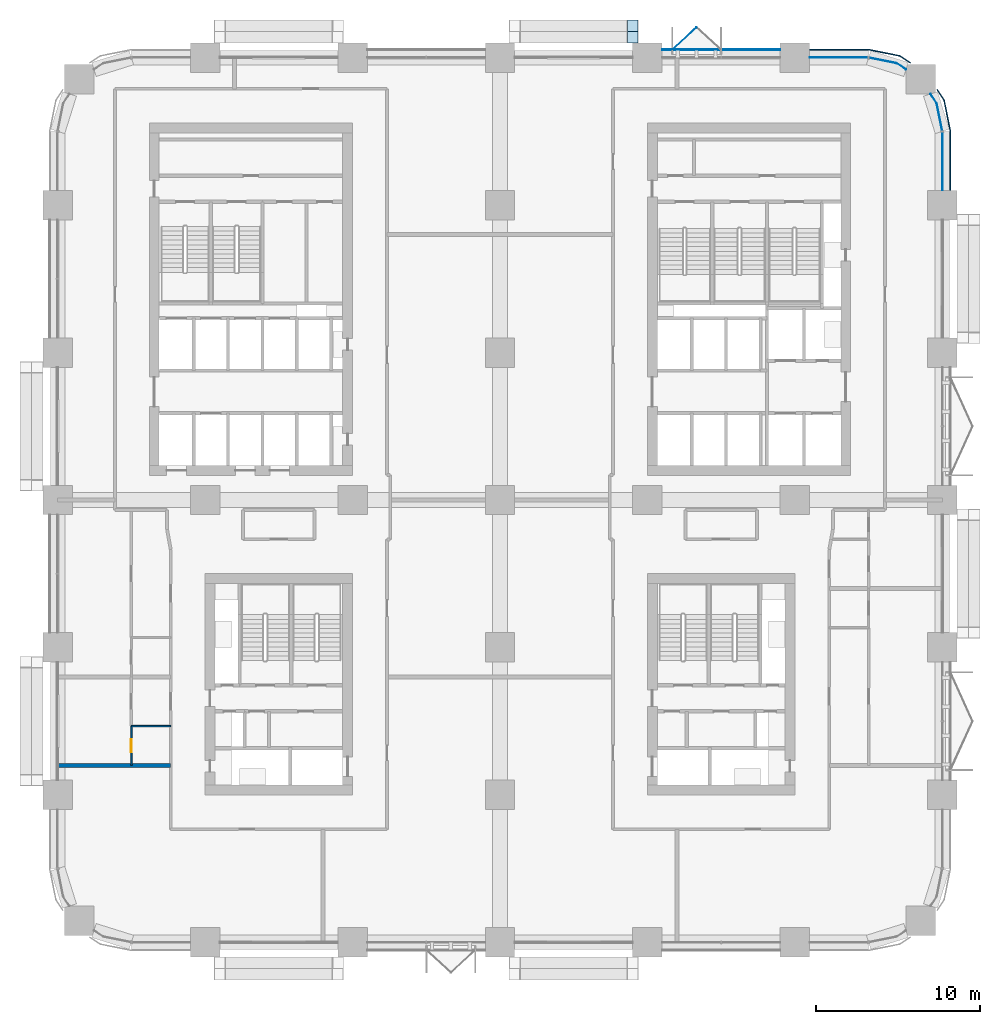
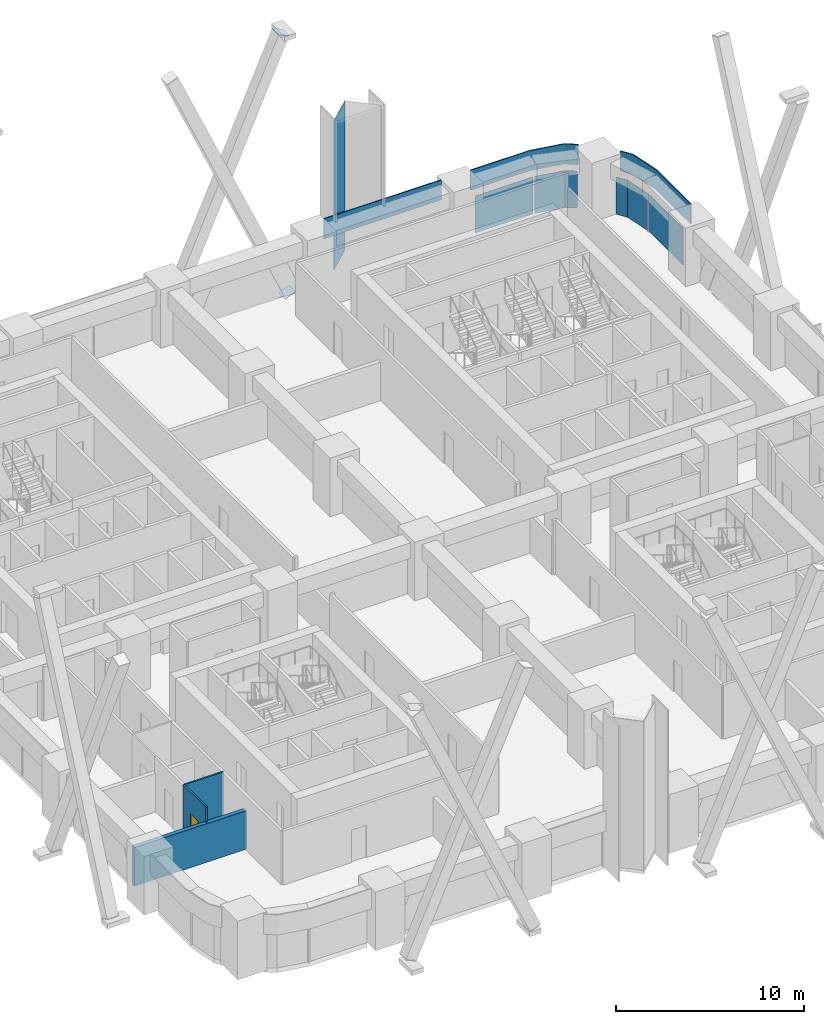
# One storey, part 14 of 24: 10 plates, 3 walls, 1 door, 1 opening, 3 elements without a shape of their own.
"""IFC4 building model written with IfcOpenShell, lengths in metres."""

from ifc_helpers import new_model, si_unit, direction, frame, frame_2d, origin, origin_2d, place, context, subcontext, project, spatial, polyline, rectangle, outline, extrude, material, layer, layer_set, type_object, element, fill, aggregate, save


model = new_model("IFC4")

# Units and contexts
model_context = context("Model", 3, precision=1e-05, world=origin(), true_north=direction((0.0, 1.0)))
body_context = subcontext(model_context, "Body", "Model", "MODEL_VIEW")
ifc_project = project(units=[si_unit("LENGTHUNIT", "METRE"), si_unit("AREAUNIT", "SQUARE_METRE"), si_unit("VOLUMEUNIT", "CUBIC_METRE"), si_unit("PLANEANGLEUNIT", "RADIAN"), si_unit("MASSUNIT", "GRAM", prefix="KILO")], contexts=[model_context])

# Site, building, storey
site_placement = place(None, origin())
site = spatial("IfcSite", under=ifc_project, at=site_placement, CompositionType="ELEMENT")
building_placement = place(site_placement, origin())
building = spatial("IfcBuilding", under=site, at=building_placement, Name="Tessera Arch", CompositionType="ELEMENT")
storey_placement = place(building_placement, frame((0.0, 0.0, 61.39990234375)))
storey = spatial("IfcBuildingStorey", under=building, at=storey_placement, Name="L13", CompositionType="ELEMENT", Elevation=61.39990234375)

# Curtain wall, plate
ifc_material_1 = material(Name="CW1 curtain wall")
curtain_wall_type_1 = type_object("IfcCurtainWallType", Name="CW1 curtain wall", PredefinedType="NOTDEFINED", material=ifc_material_1)
curtain_wall_1_placement = place(storey_placement, origin())
curtain_wall_1 = element("IfcCurtainWall", 1, at=curtain_wall_1_placement, inside=storey, type_object=curtain_wall_type_1, Name="CW1 curtain wall N54.0/1 L13", PredefinedType="NOTDEFINED")
ifc_material_2 = material(Name="Pale anodised aluminium panel", Category="aluminium")
ifc_layer_1 = layer(ifc_material_2, 0.06005859375)
ifc_layer_set_1 = layer_set([ifc_layer_1], Name="CW1 spandrel panel")
plate_type_1 = type_object("IfcPlateType", Name="CW1 spandrel panel", PredefinedType="CURTAIN_PANEL", material=ifc_layer_set_1)
plate_1_placement = place(storey_placement, frame((40.5, 54.47998046875, 2.5), z_axis=(0.0, 0.0, 1.0), x_axis=(-1.0, 0.0, 0.0)))
plate_1 = element("IfcPlate", 2, at=plate_1_placement, type_object=plate_type_1, Name="CW1 spandrel panel N54.0/1", PredefinedType="CURTAIN_PANEL", context=body_context, shape_type="SweptSolid", body=[
    extrude(rectangle(XDim=7.199951171875, YDim=0.06005859375, at=origin_2d()), origin(), (0.0, 0.0, 1.0), 1.300048828125),
])
aggregate(curtain_wall_1, [plate_1])

# Curtain wall, plates
ifc_material_3 = material(Name="CW2 curtain wall")
curtain_wall_type_2 = type_object("IfcCurtainWallType", Name="CW2 curtain wall", PredefinedType="NOTDEFINED", material=ifc_material_3)
curtain_wall_2_placement = place(storey_placement, origin())
curtain_wall_2 = element("IfcCurtainWall", 3, at=curtain_wall_2_placement, inside=storey, type_object=curtain_wall_type_2, Name="CW2 curtain wall E54.0/5 L13", PredefinedType="NOTDEFINED")
ifc_material_4 = material(Name="Clear low-e glass", Category="glass")
ifc_material_5 = material(Name="Clear low-e glass", Category="glass")
ifc_layer_2 = layer(ifc_material_5, 0.028076171875)
ifc_layer_set_2 = layer_set([ifc_layer_2], Name="CW2 glass panel")
plate_type_2 = type_object("IfcPlateType", Name="CW2 glass panel", PredefinedType="CURTAIN_PANEL", material=ifc_layer_set_2)
plate_2_placement = place(storey_placement, frame((54.0, 47.679931640625, 0.000244140625), z_axis=(0.0, 0.0, 1.0), x_axis=(0.0, 1.0, 0.0)))
plate_2 = element("IfcPlate", 4, at=plate_2_placement, type_object=plate_type_2, material=ifc_material_4, Name="CW2 glass panel E54.0/5 1.1", PredefinedType="CURTAIN_PANEL", context=body_context, shape_type="SweptSolid", body=[
    extrude(rectangle(XDim=3.56005859375, YDim=0.028076171875, at=origin_2d()), origin(), (0.0, 0.0, 1.0), 2.39990234375),
])
plate_3_placement = place(storey_placement, origin())
plate_3 = element("IfcPlate", 5, at=plate_3_placement, type_object=plate_type_2, material=ifc_material_4, Name="CW2 curved glass panel E54.0/5 2.1", PredefinedType="CURTAIN_PANEL", context=body_context, shape_type="SweptSolid", body=[
    extrude(outline(polyline([(53.644287109375, 51.216552734375), (53.978515625, 49.53662109375), (54.005859375, 49.5419921875), (53.670654296875, 51.2275390625), (53.294921875, 51.789794921875), (53.271728515625, 51.774169921875), (53.644287109375, 51.216552734375)])), origin(), (0.0, 0.0, 1.0), 2.400146484375),
])

curtain_wall_3_placement = place(storey_placement, origin())
curtain_wall_3 = element("IfcCurtainWall", 6, at=curtain_wall_3_placement, inside=storey, type_object=curtain_wall_type_2, Name="CW2 curtain wall N54.0/0 L13", PredefinedType="NOTDEFINED")
plate_4_placement = place(storey_placement, frame((47.679931640625, 54.0, 0.000244140625), z_axis=(0.0, 0.0, 1.0), x_axis=(-1.0, 0.0, 0.0)))
plate_4 = element("IfcPlate", 7, at=plate_4_placement, type_object=plate_type_2, material=ifc_material_4, Name="CW2 glass panel N54.0/0 1.1", PredefinedType="CURTAIN_PANEL", context=body_context, shape_type="SweptSolid", body=[
    extrude(rectangle(XDim=3.56005859375, YDim=0.028076171875, at=origin_2d()), origin(), (0.0, 0.0, 1.0), 2.39990234375),
])
plate_5_placement = place(storey_placement, origin())
plate_5 = element("IfcPlate", 8, at=plate_5_placement, type_object=plate_type_2, material=ifc_material_4, Name="CW2 curved glass panel N54.0/0 2.1", PredefinedType="CURTAIN_PANEL", context=body_context, shape_type="SweptSolid", body=[
    extrude(outline(polyline([(51.216552734375, 53.644287109375), (51.774169921875, 53.271728515625), (51.789794921875, 53.294921875), (51.2275390625, 53.670654296875), (49.5419921875, 54.005859375), (49.53662109375, 53.978515625), (51.216552734375, 53.644287109375)])), origin(), (0.0, 0.0, 1.0), 2.400146484375),
])

# Plate
ifc_material_6 = material(Name="Pale anodised aluminium panel", Category="aluminium")
ifc_layer_3 = layer(ifc_material_6, 0.06005859375)
ifc_layer_set_3 = layer_set([ifc_layer_3], Name="CW2 spandrel panel")
plate_type_3 = type_object("IfcPlateType", Name="CW2 spandrel panel", PredefinedType="CURTAIN_PANEL", material=ifc_layer_set_3)
plate_6_placement = place(storey_placement, frame((0.0, 0.0, 2.5)))
plate_6 = element("IfcPlate", 9, at=plate_6_placement, type_object=plate_type_3, Name="CW2 spandrel panel E54.0/5", PredefinedType="CURTAIN_PANEL", context=body_context, shape_type="SweptSolid", body=[
    extrude(outline(polyline([(54.449951171875, 49.499267578125), (54.449951171875, 45.89990234375), (54.510009765625, 45.89990234375), (54.510009765625, 49.500732421875), (54.507568359375, 49.550048828125), (54.500244140625, 49.598876953125), (54.157470703125, 51.322265625), (54.1455078125, 51.3701171875), (54.128662109375, 51.417236328125), (54.107177734375, 51.462646484375), (54.08203125, 51.5048828125), (53.707275390625, 52.0654296875), (53.657470703125, 52.031982421875), (54.03125, 51.47265625), (54.05419921875, 51.434326171875), (54.0732421875, 51.394287109375), (54.088134765625, 51.352783203125), (54.09912109375, 51.30908203125), (54.441162109375, 49.588623046875), (54.44775390625, 49.544189453125), (54.449951171875, 49.499267578125)])), origin(), (0.0, 0.0, 1.0), 1.300048828125),
])

aggregate(curtain_wall_2, [plate_2, plate_3, plate_6])

plate_7_placement = place(storey_placement, frame((0.0, 0.0, 2.5)))
plate_7 = element("IfcPlate", 10, at=plate_7_placement, type_object=plate_type_3, Name="CW2 spandrel panel N54.0/0", PredefinedType="CURTAIN_PANEL", context=body_context, shape_type="SweptSolid", body=[
    extrude(outline(polyline([(51.47265625, 54.03125), (52.031982421875, 53.657470703125), (52.0654296875, 53.707275390625), (51.5048828125, 54.08203125), (51.462646484375, 54.107177734375), (51.417236328125, 54.128662109375), (51.3701171875, 54.1455078125), (51.322265625, 54.157470703125), (49.598876953125, 54.500244140625), (49.550048828125, 54.507568359375), (49.500732421875, 54.510009765625), (45.89990234375, 54.510009765625), (45.89990234375, 54.449951171875), (49.499267578125, 54.449951171875), (49.544189453125, 54.44775390625), (49.588623046875, 54.441162109375), (51.30908203125, 54.09912109375), (51.352783203125, 54.088134765625), (51.394287109375, 54.0732421875), (51.434326171875, 54.05419921875), (51.47265625, 54.03125)])), origin(), (0.0, 0.0, 1.0), 1.300048828125),
])

aggregate(curtain_wall_3, [plate_4, plate_5, plate_7])

# Plates
ifc_material_7 = material(Name="Steel A572 Gr50", Category="steel")
ifc_layer_4 = layer(ifc_material_7, 0.0400390625)
ifc_layer_set_4 = layer_set([ifc_layer_4], Name="End plate BOX 700x700x50")
plate_type_4 = type_object("IfcPlateType", Name="End plate BOX 700x700x50", PredefinedType="SHEET", material=ifc_layer_set_4)
for number, where, z_axis, x_axis, name in (
    (11, (35.115966796875, 55.25, -0.83642578125), (-0.397607437634, 0.0, 0.91755562531), (0.0, -1.0, 0.0), "End plate BOX 700x700x50 N54.0-2 A1 L13"),
    (12, (35.10009765625, 55.949951171875, 15.60009765625), (0.397607437634, 0.0, 0.91755562531), (0.0, 1.0, 0.0), "End plate BOX 700x700x50 N54.0-2 B2 L13"),
):
    element("IfcPlate", number, at=place(storey_placement, frame(where, z_axis=z_axis, x_axis=x_axis)), inside=storey, type_object=plate_type_4, Name=name, PredefinedType="SHEET", context=body_context, shape_type="SweptSolid", body=[
        extrude(rectangle(XDim=0.699951171875, YDim=0.699951171875, at=origin_2d()), origin(), (0.0, 0.0, 1.0), 0.039794921875),
    ])
ifc_material_8 = material(Name="Clear low-e glass", Category="glass")
ifc_layer_5 = layer(ifc_material_8, 0.028076171875)
ifc_layer_set_5 = layer_set([ifc_layer_5], Name="Window box glass facet")
plate_type_5 = type_object("IfcPlateType", Name="Window box glass facet", PredefinedType="SHEET", material=ifc_layer_set_5)
plate_8_placement = place(storey_placement, frame((38.27490234375, 55.179931640625, 0.22021484375), z_axis=(0.0, 0.0, 1.0), x_axis=(0.734414958885, 0.678700720617, 0.0)))
element("IfcPlate", 13, at=plate_8_placement, inside=storey, type_object=plate_type_5, Name="Window box N54.0/1.1 1x3 glass", PredefinedType="SHEET", context=body_context, shape_type="SweptSolid", body=[
    extrude(rectangle(XDim=1.974365234375, YDim=0.028076171875, at=origin_2d()), origin(), (0.0, 0.0, 1.0), 9.659912109375),
])

# Walls
ifc_material_9 = material(Name="Double gypsum board on twin steel stud with acoustic mineral wool", Category="steel")
ifc_layer_6 = layer(ifc_material_9, 0.25)
ifc_layer_set_6 = layer_set([ifc_layer_6], Name="Party wall 250 EI 60")
wall_type_1 = type_object("IfcWallType", Name="Party wall 250 EI 60", PredefinedType="PARTITIONING", material=ifc_layer_set_6)
wall_1_placement = place(storey_placement, frame((0.0, 10.800048828125, 0.0), z_axis=(0.0, 0.0, 1.0), x_axis=(1.0, 0.0, 0.0)))
element("IfcWall", 14, at=wall_1_placement, inside=storey, type_object=wall_type_1, Name="L13 partition 35", PredefinedType="PARTITIONING", context=body_context, shape_type="SweptSolid", body=[
    extrude(rectangle(XDim=6.89990234375, YDim=0.25, at=frame_2d((3.449951171875, 0.0))), origin(), (0.0, 0.0, 1.0), 2.5),
])
ifc_material_10 = material(Name="Moisture-resistant board on pre-plumbed steel stud", Category="steel")
ifc_layer_7 = layer(ifc_material_10, 0.10009765625)
ifc_layer_set_7 = layer_set([ifc_layer_7], Name="Wet wall 100")
wall_type_2 = type_object("IfcWallType", Name="Wet wall 100", PredefinedType="PARTITIONING", material=ifc_layer_set_7)
wall_2_placement = place(storey_placement, frame((4.5, 13.199951171875, 0.0), z_axis=(0.0, 0.0, 1.0), x_axis=(1.0, 0.0, 0.0)))
element("IfcWall", 15, at=wall_2_placement, inside=storey, type_object=wall_type_2, Name="L13 partition 49", PredefinedType="PARTITIONING", context=body_context, shape_type="SweptSolid", body=[
    extrude(rectangle(XDim=2.39990234375, YDim=0.10009765625, at=frame_2d((1.199951171875, 0.0))), origin(), (0.0, 0.0, 1.0), 3.5),
])

# Wall, opening, door
wall_3_placement = place(storey_placement, frame((4.5, 10.800048828125, 0.0), z_axis=(0.0, 0.0, 1.0), x_axis=(0.0, 1.0, 0.0)))
wall_3 = element("IfcWall", 16, at=wall_3_placement, inside=storey, type_object=wall_type_2, Name="L13 partition 53", PredefinedType="PARTITIONING", context=body_context, shape_type="SweptSolid", body=[
    extrude(rectangle(XDim=2.39990234375, YDim=0.10009765625, at=frame_2d((1.199951171875, 0.0))), origin(), (0.0, 0.0, 1.0), 3.5),
])
opening_placement = place(wall_3_placement, frame((0.800048828125, 0.0, 0.0)))
opening = element("IfcOpeningElement", 17, at=opening_placement, cuts=wall_3, Name="Opening L13-D007", PredefinedType="OPENING", context=body_context, shape_type="SweptSolid", body=[
    extrude(rectangle(XDim=0.800048828125, YDim=2.10009765625, at=frame_2d((0.39990234375, 1.050048828125))), frame((0.0, 0.06005859375, 0.0), z_axis=(0.0, -1.0, 0.0), x_axis=(1.0, 0.0, 0.0)), (0.0, 0.0, 1.0), 0.1201171875),
])
ifc_material_11 = material(Name="Timber door leaf", Category="wood")
door_type = type_object("IfcDoorType", Name="En-suite door 800 x 2100", OperationType="SINGLE_SWING_LEFT", PredefinedType="DOOR", material=ifc_material_11)
door_placement = place(opening_placement, origin())
door = element("IfcDoor", 18, at=door_placement, inside=storey, type_object=door_type, Name="L13 door D007 type D02", OperationType="SINGLE_SWING_LEFT", OverallHeight=2.10009765625, OverallWidth=0.800048828125, PredefinedType="DOOR", context=body_context, shape_type="SweptSolid", body=[
    extrude(rectangle(XDim=0.800048828125, YDim=2.10009765625, at=frame_2d((0.39990234375, 1.050048828125))), frame((0.0, 0.02490234375, 0.0), z_axis=(0.0, -1.0, 0.0), x_axis=(1.0, 0.0, 0.0)), (0.0, 0.0, 1.0), 0.050048828125),
])
fill(opening, door)

save(model, "model.ifc")
